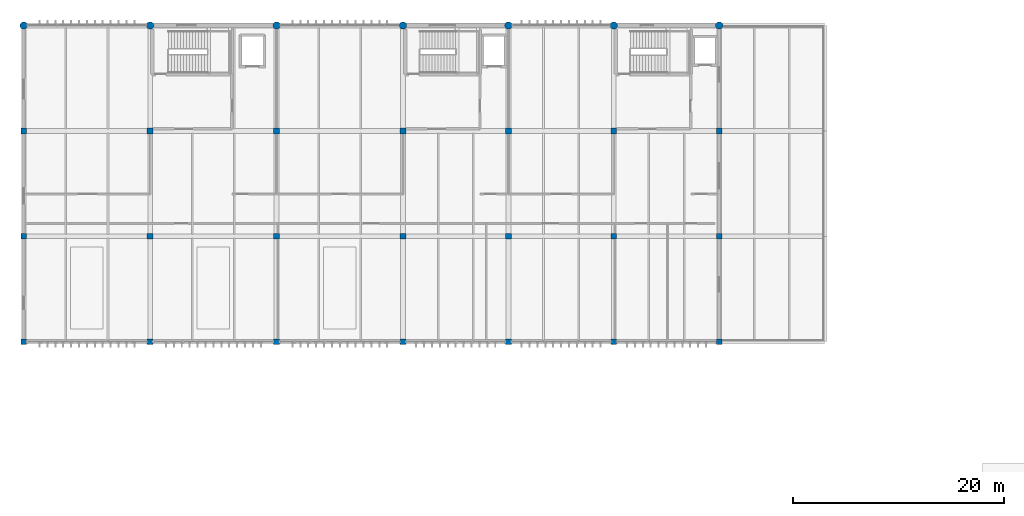
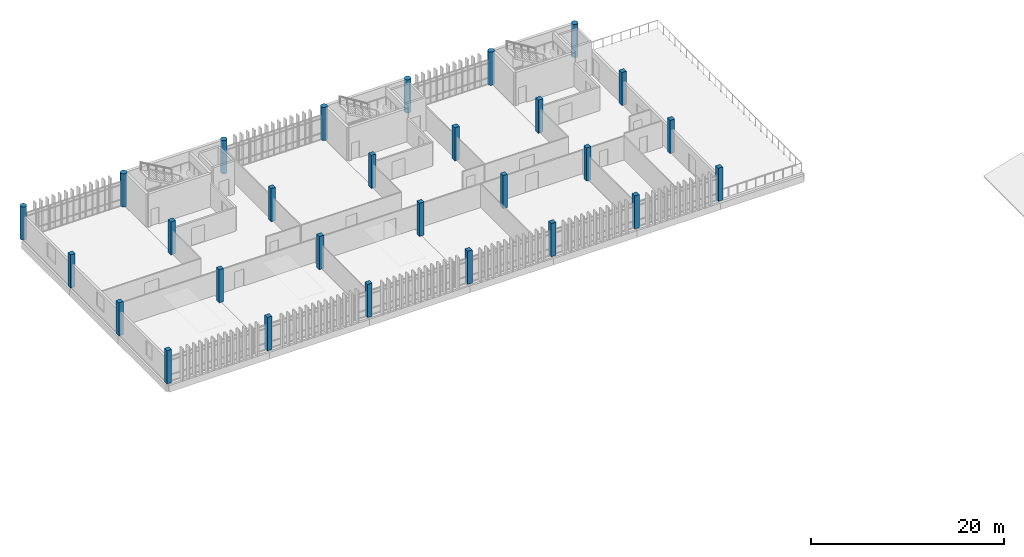
# One storey, part 1 of 29: 28 columns.
"""IFC4 building model written with IfcOpenShell, lengths in metres."""

from ifc_helpers import new_model, si_unit, direction, frame, origin, origin_2d, place, context, subcontext, project, spatial, rectangle, circle, extrude, material, material_profile, profile_set, type_object, element, save


model = new_model("IFC4")

# Units and contexts
model_context = context("Model", 3, precision=1e-05, world=origin(), true_north=direction((0.0, 1.0)))
body_context = subcontext(model_context, "Body", "Model", "MODEL_VIEW")
ifc_project = project(units=[si_unit("LENGTHUNIT", "METRE"), si_unit("AREAUNIT", "SQUARE_METRE"), si_unit("VOLUMEUNIT", "CUBIC_METRE"), si_unit("PLANEANGLEUNIT", "RADIAN"), si_unit("MASSUNIT", "GRAM", prefix="KILO")], contexts=[model_context])

# Site, building, storey
site_placement = place(None, origin())
site = spatial("IfcSite", under=ifc_project, at=site_placement, CompositionType="ELEMENT")
building_placement = place(site_placement, origin())
building = spatial("IfcBuilding", under=site, at=building_placement, Name="Mersad Railyard Sports Hall", CompositionType="ELEMENT")
storey_placement = place(building_placement, frame((0.0, 0.0, 17.39990234375)))
storey = spatial("IfcBuildingStorey", under=building, at=storey_placement, Name="L04", CompositionType="ELEMENT", Elevation=17.39990234375)

# Columns
ifc_material_1 = material(Name="Concrete C40/50", Category="concrete")
ifc_material_profile_1 = material_profile(ifc_material_1, rectangle(XDim=0.550048828125, YDim=0.550048828125, at=origin_2d()), Name="RC 550x550")
ifc_profile_set_1 = profile_set([ifc_material_profile_1], Name="Concrete C40/50")
column_type_1 = type_object("IfcColumnType", Name="STR-COL-C05", PredefinedType="COLUMN", material=ifc_profile_set_1)
for number, where, z_axis, x_axis, name in (
    (1, (55.0, 85.0, 0.0), (0.0, 0.0, 1.0), (1.0, 0.0, 0.0), "Column C05 L04 (55.0,85.0)"),
    (2, (55.0, 95.0, 0.0), (0.0, 0.0, 1.0), (1.0, 0.0, 0.0), "Column C05 L04 (55.0,95.0)"),
    (3, (55.0, 105.0, 0.0), (0.0, 0.0, 1.0), (1.0, 0.0, 0.0), "Column C05 L04 (55.0,105.0)"),
    (4, (67.0, 85.0, 0.0), (0.0, 0.0, 1.0), (1.0, 0.0, 0.0), "Column C05 L04 (67.0,85.0)"),
    (5, (67.0, 95.0, 0.0), (0.0, 0.0, 1.0), (1.0, 0.0, 0.0), "Column C05 L04 (67.0,95.0)"),
    (6, (67.0, 105.0, 0.0), (0.0, 0.0, 1.0), (1.0, 0.0, 0.0), "Column C05 L04 (67.0,105.0)"),
    (7, (79.0, 85.0, 0.0), (0.0, 0.0, 1.0), (1.0, 0.0, 0.0), "Column C05 L04 (79.0,85.0)"),
    (8, (79.0, 95.0, 0.0), (0.0, 0.0, 1.0), (1.0, 0.0, 0.0), "Column C05 L04 (79.0,95.0)"),
    (9, (79.0, 105.0, 0.0), (0.0, 0.0, 1.0), (1.0, 0.0, 0.0), "Column C05 L04 (79.0,105.0)"),
    (10, (91.0, 85.0, 0.0), (0.0, 0.0, 1.0), (1.0, 0.0, 0.0), "Column C05 L04 (91.0,85.0)"),
    (11, (91.0, 95.0, 0.0), (0.0, 0.0, 1.0), (1.0, 0.0, 0.0), "Column C05 L04 (91.0,95.0)"),
    (12, (91.0, 105.0, 0.0), (0.0, 0.0, 1.0), (1.0, 0.0, 0.0), "Column C05 L04 (91.0,105.0)"),
    (13, (101.0, 85.0, 0.0), (0.0, 0.0, 1.0), (1.0, 0.0, 0.0), "Column C05 L04 (101.0,85.0)"),
    (14, (101.0, 95.0, 0.0), (0.0, 0.0, 1.0), (1.0, 0.0, 0.0), "Column C05 L04 (101.0,95.0)"),
    (15, (101.0, 105.0, 0.0), (0.0, 0.0, 1.0), (1.0, 0.0, 0.0), "Column C05 L04 (101.0,105.0)"),
    (16, (111.0, 85.0, 0.0), (0.0, 0.0, 1.0), (1.0, 0.0, 0.0), "Column C05 L04 (111.0,85.0)"),
    (17, (111.0, 95.0, 0.0), (0.0, 0.0, 1.0), (1.0, 0.0, 0.0), "Column C05 L04 (111.0,95.0)"),
    (18, (111.0, 105.0, 0.0), (0.0, 0.0, 1.0), (1.0, 0.0, 0.0), "Column C05 L04 (111.0,105.0)"),
    (19, (121.0, 85.0, 0.0), (0.0, 0.0, 1.0), (1.0, 0.0, 0.0), "Column C05 L04 (121.0,85.0)"),
    (20, (121.0, 95.0, 0.0), (0.0, 0.0, 1.0), (1.0, 0.0, 0.0), "Column C05 L04 (121.0,95.0)"),
    (21, (121.0, 105.0, 0.0), (0.0, 0.0, 1.0), (1.0, 0.0, 0.0), "Column C05 L04 (121.0,105.0)"),
):
    element("IfcColumn", number, at=place(storey_placement, frame(where, z_axis=z_axis, x_axis=x_axis)), inside=storey, type_object=column_type_1, Name=name, PredefinedType="COLUMN", context=body_context, shape_type="SweptSolid", body=[
        extrude(rectangle(XDim=0.550048828125, YDim=0.550048828125, at=origin_2d()), origin(), (0.0, 0.0, 1.0), 4.2001953125),
    ])
ifc_material_2 = material(Name="Architectural concrete C40/50", Category="concrete")
ifc_material_profile_2 = material_profile(ifc_material_2, circle(Radius=0.35009765625, at=origin_2d()), Name="RC D700")
ifc_profile_set_2 = profile_set([ifc_material_profile_2], Name="Architectural concrete C40/50")
column_type_2 = type_object("IfcColumnType", Name="STR-COL-C08", PredefinedType="COLUMN", material=ifc_profile_set_2)
for number, where, z_axis, x_axis, name in (
    (22, (55.0, 115.0, 0.0), (0.0, 0.0, 1.0), (1.0, 0.0, 0.0), "Column C08 L04 (55.0,115.0)"),
    (23, (67.0, 115.0, 0.0), (0.0, 0.0, 1.0), (1.0, 0.0, 0.0), "Column C08 L04 (67.0,115.0)"),
    (24, (79.0, 115.0, 0.0), (0.0, 0.0, 1.0), (1.0, 0.0, 0.0), "Column C08 L04 (79.0,115.0)"),
    (25, (91.0, 115.0, 0.0), (0.0, 0.0, 1.0), (1.0, 0.0, 0.0), "Column C08 L04 (91.0,115.0)"),
    (26, (101.0, 115.0, 0.0), (0.0, 0.0, 1.0), (1.0, 0.0, 0.0), "Column C08 L04 (101.0,115.0)"),
    (27, (111.0, 115.0, 0.0), (0.0, 0.0, 1.0), (1.0, 0.0, 0.0), "Column C08 L04 (111.0,115.0)"),
    (28, (121.0, 115.0, 0.0), (0.0, 0.0, 1.0), (1.0, 0.0, 0.0), "Column C08 L04 (121.0,115.0)"),
):
    element("IfcColumn", number, at=place(storey_placement, frame(where, z_axis=z_axis, x_axis=x_axis)), inside=storey, type_object=column_type_2, Name=name, PredefinedType="COLUMN", context=body_context, shape_type="SweptSolid", body=[
        extrude(circle(Radius=0.35009765625, at=origin_2d()), origin(), (0.0, 0.0, 1.0), 4.2001953125),
    ])

save(model, "model.ifc")
